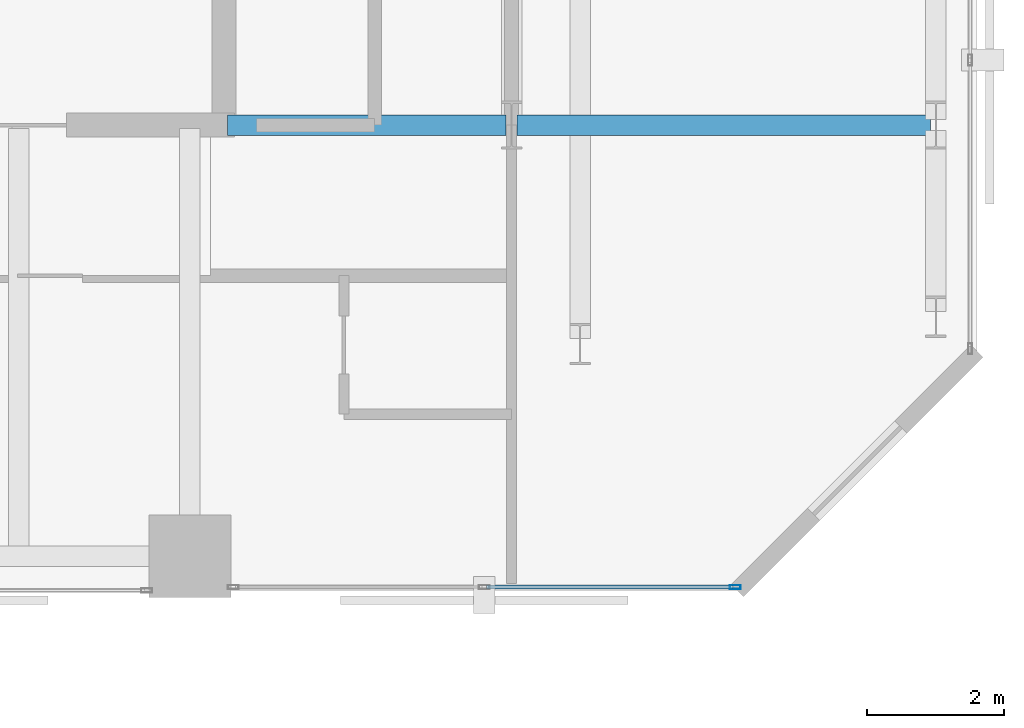
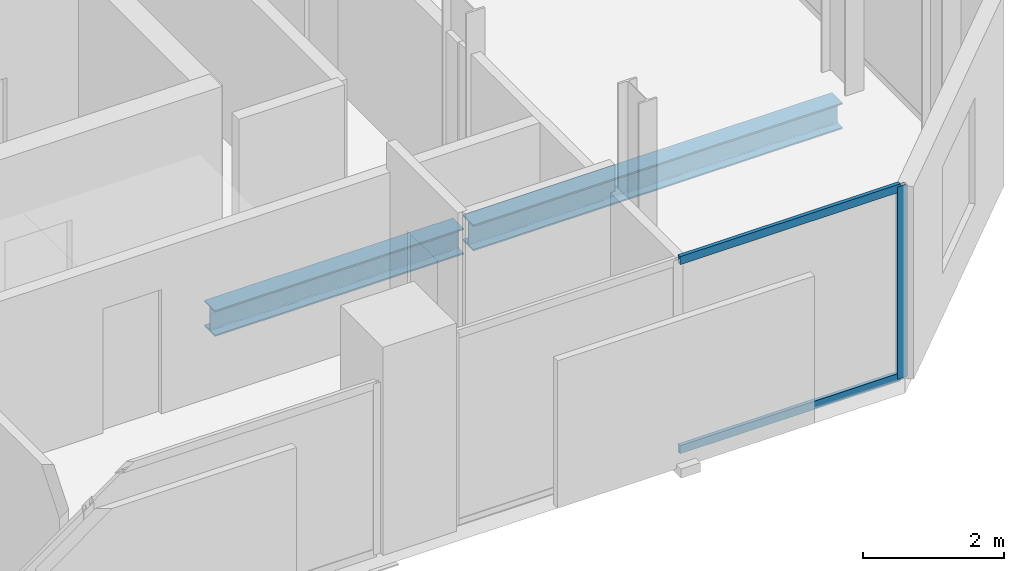
# One storey, part 15 of 32: 3 members, 2 beams, 1 element without a shape of its own.
"""IFC4 building model written with IfcOpenShell, lengths in metres."""

from ifc_helpers import new_model, si_unit, direction, frame, origin, origin_2d, place, context, subcontext, project, spatial, hollow_rectangle, i_section, extrude, material, layer, layer_set, material_profile, profile_set, type_object, element, aggregate, save


model = new_model("IFC4")

# Units and contexts
model_context = context("Model", 3, precision=1e-05, world=origin(), true_north=direction((0.0, 1.0)))
body_context = subcontext(model_context, "Body", "Model", "MODEL_VIEW")
ifc_project = project(units=[si_unit("LENGTHUNIT", "METRE"), si_unit("AREAUNIT", "SQUARE_METRE"), si_unit("VOLUMEUNIT", "CUBIC_METRE"), si_unit("PLANEANGLEUNIT", "RADIAN"), si_unit("MASSUNIT", "GRAM", prefix="KILO")], contexts=[model_context])

# Site, building, storey
site_placement = place(None, origin())
site = spatial("IfcSite", under=ifc_project, at=site_placement, CompositionType="ELEMENT")
building_placement = place(site_placement, origin())
building = spatial("IfcBuilding", under=site, at=building_placement, Name="Catumbela Crestline Tower", CompositionType="ELEMENT")
storey_placement = place(building_placement, frame((0.0, 0.0, 126.0)))
storey = spatial("IfcBuildingStorey", under=building, at=storey_placement, Name="L32", CompositionType="ELEMENT", Elevation=126.0)

# Beams
ifc_material_1 = material(Name="Structural steel S355J2", Category="steel")
ifc_material_profile_1 = material_profile(ifc_material_1, i_section(OverallWidth=0.3, OverallDepth=0.45, WebThickness=0.014, FlangeThickness=0.026, FilletRadius=0.027, at=origin_2d()), Name="HEB 450")
ifc_profile_set_1 = profile_set([ifc_material_profile_1], Name="Structural steel S355J2")
beam_type = type_object("IfcBeamType", Name="BG-HEB450", PredefinedType="BEAM", material=ifc_profile_set_1)
beam_1_placement = place(storey_placement, frame((40.05, 30.8, -0.485), z_axis=(1.0, 0.0, 0.0), x_axis=(0.0, 1.0, 0.0)))
element("IfcBeam", 1, at=beam_1_placement, inside=storey, type_object=beam_type, Name="L32 Beam BM-L32-M10", PredefinedType="BEAM", context=body_context, shape_type="SweptSolid", body=[
    extrude(i_section(OverallWidth=0.3, OverallDepth=0.45, WebThickness=0.014, FlangeThickness=0.026, FilletRadius=0.027, at=origin_2d()), origin(), (0.0, 0.0, 1.0), 4.07),
])
beam_2_placement = place(storey_placement, frame((44.28, 30.8, -0.485), z_axis=(1.0, 0.0, 0.0), x_axis=(0.0, 1.0, 0.0)))
element("IfcBeam", 2, at=beam_2_placement, inside=storey, type_object=beam_type, Name="L32 Beam BM-L32-M11", PredefinedType="BEAM", context=body_context, shape_type="SweptSolid", body=[
    extrude(i_section(OverallWidth=0.3, OverallDepth=0.45, WebThickness=0.014, FlangeThickness=0.026, FilletRadius=0.027, at=origin_2d()), origin(), (0.0, 0.0, 1.0), 6.04),
])

# Curtain wall, members
ifc_material_2 = material(Name="Aluminium alloy AW-6060-T66", Category="aluminium")
ifc_layer = layer(ifc_material_2, 0.18, Name="Aluminium alloy AW-6060-T66")
ifc_layer_set = layer_set([ifc_layer], Name="Aluminium alloy AW-6060-T66")
curtain_wall_type = type_object("IfcCurtainWallType", Name="CWU-Z2", PredefinedType="USERDEFINED", material=ifc_layer_set)
curtain_wall_placement = place(storey_placement, origin())
curtain_wall = element("IfcCurtainWall", 3, at=curtain_wall_placement, inside=storey, type_object=curtain_wall_type, Name="L32 Unitised Curtain Wall CW-L32-E3S2", ObjectType="UNITISED", PredefinedType="USERDEFINED")
ifc_material_profile_2 = material_profile(ifc_material_2, hollow_rectangle(XDim=0.06, YDim=0.16, WallThickness=0.004, at=origin_2d()), Name="ALU 160x60x4")
ifc_profile_set_2 = profile_set([ifc_material_profile_2], Name="Aluminium alloy AW-6060-T66")
member_type_1 = type_object("IfcMemberType", Name="MUL-160X60", PredefinedType="MULLION", material=ifc_profile_set_2)
member_1_placement = place(storey_placement, frame((47.4675, 24.05, 0.0), z_axis=(0.0, 0.0, 1.0), x_axis=(0.0, 1.0, 0.0)))
member_1 = element("IfcMember", 4, at=member_1_placement, type_object=member_type_1, Name="CWU-Z2 mullion 3", PredefinedType="MULLION", context=body_context, shape_type="SweptSolid", body=[
    extrude(hollow_rectangle(XDim=0.06, YDim=0.16, WallThickness=0.004, at=origin_2d()), origin(), (0.0, 0.0, 1.0), 3.33),
])
ifc_material_profile_3 = material_profile(ifc_material_2, hollow_rectangle(XDim=0.06, YDim=0.14, WallThickness=0.004, at=origin_2d()), Name="ALU 140x60x4")
ifc_profile_set_3 = profile_set([ifc_material_profile_3], Name="Aluminium alloy AW-6060-T66")
member_type_2 = type_object("IfcMemberType", Name="TRN-140X60", PredefinedType="USERDEFINED", material=ifc_profile_set_3)
member_2_placement = place(storey_placement, frame((43.8325, 24.05, 0.03), z_axis=(1.0, 0.0, 0.0), x_axis=(0.0, 1.0, 0.0)))
member_2 = element("IfcMember", 5, at=member_2_placement, type_object=member_type_2, Name="CWU-Z2 transom 2.1", ObjectType="TRANSOM", PredefinedType="USERDEFINED", context=body_context, shape_type="SweptSolid", body=[
    extrude(hollow_rectangle(XDim=0.06, YDim=0.14, WallThickness=0.004, at=origin_2d()), origin(), (0.0, 0.0, 1.0), 3.6025),
])
member_3_placement = place(storey_placement, frame((43.8325, 24.05, 3.3), z_axis=(1.0, 0.0, 0.0), x_axis=(0.0, 1.0, 0.0)))
member_3 = element("IfcMember", 6, at=member_3_placement, type_object=member_type_2, Name="CWU-Z2 transom 2.2", ObjectType="TRANSOM", PredefinedType="USERDEFINED", context=body_context, shape_type="SweptSolid", body=[
    extrude(hollow_rectangle(XDim=0.06, YDim=0.14, WallThickness=0.004, at=origin_2d()), origin(), (0.0, 0.0, 1.0), 3.6025),
])
aggregate(curtain_wall, [member_1, member_2, member_3])

save(model, "model.ifc")
